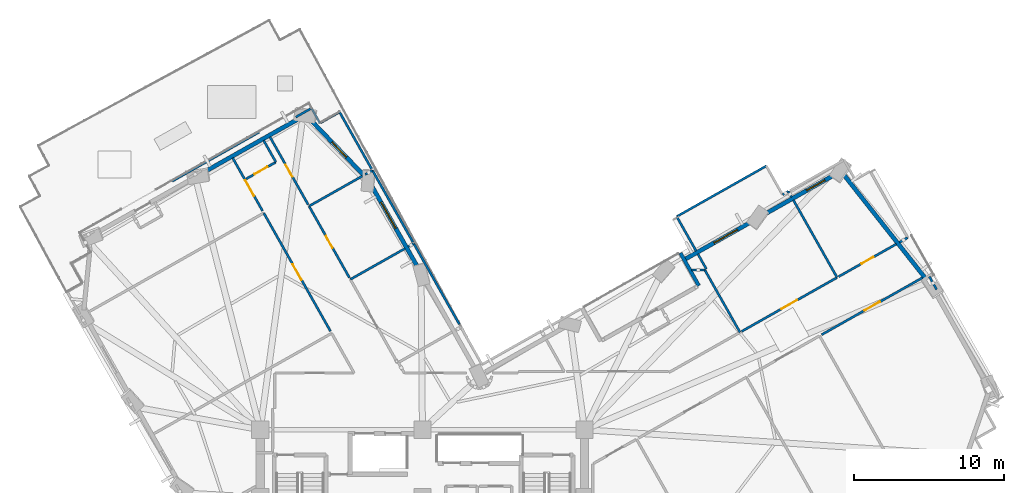
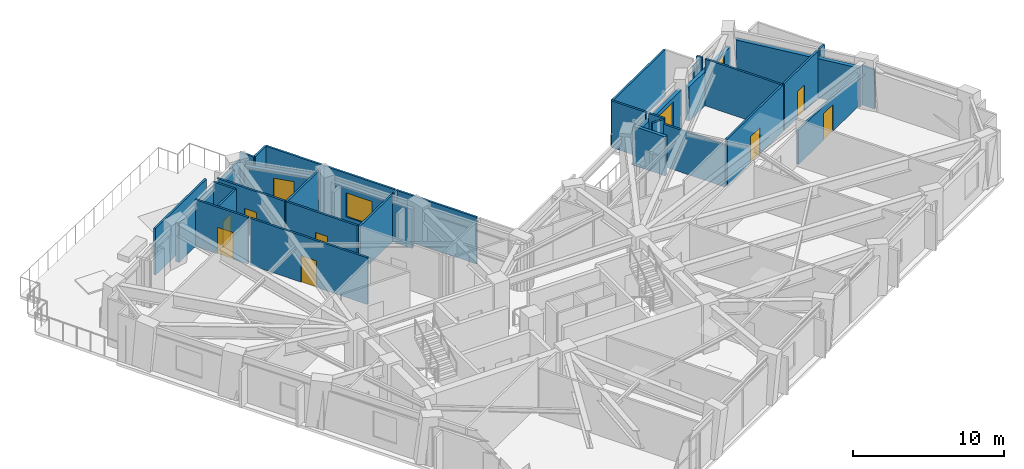
# One storey, part 13 of 18: 37 walls, 8 doors, 4 windows, 12 openings.
"""IFC4 building model written with IfcOpenShell, lengths in metres."""

from ifc_helpers import new_model, si_unit, direction, frame, frame_2d, origin, place, context, subcontext, project, spatial, rectangle, extrude, material, layer, layer_set, type_object, element, fill, save


model = new_model("IFC4")

# Units and contexts
model_context = context("Model", 3, precision=1e-05, world=origin(), true_north=direction((0.0, 1.0)))
body_context = subcontext(model_context, "Body", "Model", "MODEL_VIEW")
ifc_project = project(units=[si_unit("LENGTHUNIT", "METRE"), si_unit("AREAUNIT", "SQUARE_METRE"), si_unit("VOLUMEUNIT", "CUBIC_METRE"), si_unit("PLANEANGLEUNIT", "RADIAN"), si_unit("MASSUNIT", "GRAM", prefix="KILO")], contexts=[model_context])

# Site, building, storey
site_placement = place(None, origin())
site = spatial("IfcSite", under=ifc_project, at=site_placement, CompositionType="ELEMENT")
building_placement = place(site_placement, origin())
building = spatial("IfcBuilding", under=site, at=building_placement, Name="Gaonmaruhae Medical Tower", CompositionType="ELEMENT")
storey_placement = place(building_placement, frame((0.0, 0.0, 149.800048828125)))
storey = spatial("IfcBuildingStorey", under=building, at=storey_placement, Name="L35", CompositionType="ELEMENT", Elevation=149.800048828125)

# Walls
ifc_material_1 = material(Name="Precast concrete C45/55", Category="concrete")
ifc_layer_1 = layer(ifc_material_1, 0.239990234375)
ifc_layer_set_1 = layer_set([ifc_layer_1], Name="Precast concrete C45/55")
wall_type_1 = type_object("IfcWallType", Name="EW-240 Ribbon & Shelter Insulated Precast Wall", PredefinedType="SOLIDWALL", material=ifc_layer_set_1)
wall_1_placement = place(storey_placement, frame((43.21337890625, 26.392333984375, 0.0), z_axis=(0.0, 0.0, 1.0), x_axis=(-0.491725759478, 0.870750123437, 0.0)))
element("IfcWall", 1, at=wall_1_placement, inside=storey, type_object=wall_type_1, Name="L35 Recessed Terrace Enclosure Wall TERR", PredefinedType="SOLIDWALL", context=body_context, shape_type="SweptSolid", body=[
    extrude(rectangle(XDim=2.499755859375, YDim=0.239990234375, at=frame_2d((1.25, 0.0))), origin(), (0.0, 0.0, 1.0), 3.1650390625),
])
ifc_layer_2 = layer(ifc_material_1, 0.280029296875)
ifc_layer_set_2 = layer_set([ifc_layer_2], Name="Precast concrete C45/55")
wall_type_2 = type_object("IfcWallType", Name="EW-280 Upper Precast Masonry-Frame Facade Wall", PredefinedType="SOLIDWALL", material=ifc_layer_set_2)
wall_2_placement = place(storey_placement, frame((52.880859375, 33.769287109375, 0.0), z_axis=(0.0, 0.0, 1.0), x_axis=(0.618971390847, -0.785413532677, 0.0)))
element("IfcWall", 2, at=wall_2_placement, inside=storey, type_object=wall_type_2, Name="L35 Precast Masonry-Frame Wall E02-E03", PredefinedType="SOLIDWALL", context=body_context, shape_type="SweptSolid", body=[
    extrude(rectangle(XDim=8.837646484375, YDim=0.280029296875, at=frame_2d((4.4189453125, 0.0))), origin(), (0.0, 0.0, 1.0), 3.1650390625),
])

# Wall, opening, window
wall_3_placement = place(storey_placement, frame((47.578857421875, 31.142578125, 0.0), z_axis=(0.0, 0.0, 1.0), x_axis=(0.870789061842, 0.491656800803, 0.0)))
wall_3 = element("IfcWall", 3, at=wall_3_placement, inside=storey, type_object=wall_type_2, Name="L35 Precast Masonry-Frame Wall E03-EN01", PredefinedType="SOLIDWALL", context=body_context, shape_type="SweptSolid", body=[
    extrude(rectangle(XDim=5.404541015625, YDim=0.280029296875, at=frame_2d((2.7021484375, 0.0))), origin(), (0.0, 0.0, 1.0), 2.764892578125),
])
opening_1_placement = place(wall_3_placement, frame((3.23388671875, 0.0, 0.75)))
opening_1 = element("IfcOpeningElement", 4, at=opening_1_placement, cuts=wall_3, Name="Opening WN-03", PredefinedType="OPENING", context=body_context, shape_type="SweptSolid", body=[
    extrude(rectangle(XDim=1.39990234375, YDim=1.85009765625, at=frame_2d((0.699951171875, 0.925048828125))), frame((0.0, 0.14990234375, 0.0), z_axis=(0.0, -1.0, 0.0), x_axis=(1.0, 0.0, 0.0)), (0.0, 0.0, 1.0), 0.300048828125),
])
ifc_material_2 = material(Name="Anodised aluminium and Low-E double glazing", Category="aluminium")
window_type_1 = type_object("IfcWindowType", Name="WN-03 Isolation Ward Punched Window 1400x1850", PartitioningType="SINGLE_PANEL", PredefinedType="WINDOW", material=ifc_material_2)
window_1_placement = place(opening_1_placement, origin())
window_1 = element("IfcWindow", 5, at=window_1_placement, inside=storey, type_object=window_type_1, Name="L35 Modular Facade Window E03", OverallHeight=1.85009765625, OverallWidth=1.39990234375, PartitioningType="SINGLE_PANEL", PredefinedType="WINDOW", context=body_context, shape_type="SweptSolid", body=[
    extrude(rectangle(XDim=1.39990234375, YDim=1.85009765625, at=frame_2d((0.699951171875, 0.925048828125))), frame((0.0, 0.030029296875, 0.0), z_axis=(0.0, -1.0, 0.0), x_axis=(1.0, 0.0, 0.0)), (0.0, 0.0, 1.0), 0.06005859375),
])
fill(opening_1, window_1)

wall_4_placement = place(storey_placement, frame((42.252197265625, 28.135009765625, 0.0), z_axis=(0.0, 0.0, 1.0), x_axis=(0.8708017473, 0.491634332507, 0.0)))
wall_4 = element("IfcWall", 6, at=wall_4_placement, inside=storey, type_object=wall_type_2, Name="L35 Precast Masonry-Frame Wall EN01-EN02", PredefinedType="SOLIDWALL", context=body_context, shape_type="SweptSolid", body=[
    extrude(rectangle(XDim=5.155517578125, YDim=0.280029296875, at=frame_2d((2.57763671875, 0.0))), origin(), (0.0, 0.0, 1.0), 3.14501953125),
])
opening_2_placement = place(wall_4_placement, frame((2.259521484375, 0.0, 0.75)))
opening_2 = element("IfcOpeningElement", 7, at=opening_2_placement, cuts=wall_4, Name="Opening WN-04", PredefinedType="OPENING", context=body_context, shape_type="SweptSolid", body=[
    extrude(rectangle(XDim=1.800048828125, YDim=2.050048828125, at=frame_2d((0.89990234375, 1.02490234375))), frame((0.0, 0.14990234375, 0.0), z_axis=(0.0, -1.0, 0.0), x_axis=(1.0, 0.0, 0.0)), (0.0, 0.0, 1.0), 0.300048828125),
])
window_type_2 = type_object("IfcWindowType", Name="WN-04 Clinic & Consult Punched Window 1800x2050", PartitioningType="SINGLE_PANEL", PredefinedType="WINDOW", material=ifc_material_2)
window_2_placement = place(opening_2_placement, origin())
window_2 = element("IfcWindow", 8, at=window_2_placement, inside=storey, type_object=window_type_2, Name="L35 Modular Facade Window EN01", OverallHeight=2.050048828125, OverallWidth=1.800048828125, PartitioningType="SINGLE_PANEL", PredefinedType="WINDOW", context=body_context, shape_type="SweptSolid", body=[
    extrude(rectangle(XDim=1.800048828125, YDim=2.050048828125, at=frame_2d((0.89990234375, 1.02490234375))), frame((0.0, 0.030029296875, 0.0), z_axis=(0.0, -1.0, 0.0), x_axis=(1.0, 0.0, 0.0)), (0.0, 0.0, 1.0), 0.06005859375),
])
fill(opening_2, window_2)

wall_5_placement = place(storey_placement, frame((24.533935546875, 27.53466796875, 0.0), z_axis=(0.0, 0.0, 1.0), x_axis=(-0.491640915593, 0.870798030611, 0.0)))
wall_5 = element("IfcWall", 9, at=wall_5_placement, inside=storey, type_object=wall_type_2, Name="L35 Precast Masonry-Frame Wall NE01-NE02", PredefinedType="SOLIDWALL", context=body_context, shape_type="SweptSolid", body=[
    extrude(rectangle(XDim=6.22265625, YDim=0.280029296875, at=frame_2d((3.111328125, 0.0))), origin(), (0.0, 0.0, 1.0), 3.1650390625),
])
opening_3_placement = place(wall_5_placement, frame((3.073974609375, 0.0, 0.75)))
opening_3 = element("IfcOpeningElement", 10, at=opening_3_placement, cuts=wall_5, Name="Opening WN-02", PredefinedType="OPENING", context=body_context, shape_type="SweptSolid", body=[
    extrude(rectangle(XDim=2.0, YDim=1.949951171875, at=frame_2d((1.0, 0.97509765625))), frame((0.0, 0.14990234375, 0.0), z_axis=(0.0, -1.0, 0.0), x_axis=(1.0, 0.0, 0.0)), (0.0, 0.0, 1.0), 0.300048828125),
])
window_type_3 = type_object("IfcWindowType", Name="WN-02 Double-Bed Ward Punched Window 2000x1950", PartitioningType="SINGLE_PANEL", PredefinedType="WINDOW", material=ifc_material_2)
window_3_placement = place(opening_3_placement, origin())
window_3 = element("IfcWindow", 11, at=window_3_placement, inside=storey, type_object=window_type_3, Name="L35 Modular Facade Window NE01", OverallHeight=1.949951171875, OverallWidth=2.0, PartitioningType="SINGLE_PANEL", PredefinedType="WINDOW", context=body_context, shape_type="SweptSolid", body=[
    extrude(rectangle(XDim=2.0, YDim=1.949951171875, at=frame_2d((1.0, 0.97509765625))), frame((0.0, 0.030029296875, 0.0), z_axis=(0.0, -1.0, 0.0), x_axis=(1.0, 0.0, 0.0)), (0.0, 0.0, 1.0), 0.06005859375),
])
fill(opening_3, window_3)

wall_6_placement = place(storey_placement, frame((17.36767578125, 37.424560546875, 0.0), z_axis=(0.0, 0.0, 1.0), x_axis=(0.692504883459, -0.721413187005, 0.0)))
wall_6 = element("IfcWall", 12, at=wall_6_placement, inside=storey, type_object=wall_type_2, Name="L35 Precast Masonry-Frame Wall NE02-N01", PredefinedType="SOLIDWALL", context=body_context, shape_type="SweptSolid", body=[
    extrude(rectangle(XDim=5.092529296875, YDim=0.280029296875, at=frame_2d((2.54638671875, 0.0))), origin(), (0.0, 0.0, 1.0), 3.1650390625),
])
opening_4_placement = place(wall_6_placement, frame((2.029541015625, 0.0, 0.75)))
opening_4 = element("IfcOpeningElement", 13, at=opening_4_placement, cuts=wall_6, Name="Opening WN-03", PredefinedType="OPENING", context=body_context, shape_type="SweptSolid", body=[
    extrude(rectangle(XDim=1.39990234375, YDim=1.85009765625, at=frame_2d((0.699951171875, 0.925048828125))), frame((0.0, 0.14990234375, 0.0), z_axis=(0.0, -1.0, 0.0), x_axis=(1.0, 0.0, 0.0)), (0.0, 0.0, 1.0), 0.300048828125),
])
window_4_placement = place(opening_4_placement, origin())
window_4 = element("IfcWindow", 14, at=window_4_placement, inside=storey, type_object=window_type_1, Name="L35 Modular Facade Window NE02", OverallHeight=1.85009765625, OverallWidth=1.39990234375, PartitioningType="SINGLE_PANEL", PredefinedType="WINDOW", context=body_context, shape_type="SweptSolid", body=[
    extrude(rectangle(XDim=1.39990234375, YDim=1.85009765625, at=frame_2d((0.699951171875, 0.925048828125))), frame((0.0, 0.030029296875, 0.0), z_axis=(0.0, -1.0, 0.0), x_axis=(1.0, 0.0, 0.0)), (0.0, 0.0, 1.0), 0.06005859375),
])
fill(opening_4, window_4)

# Wall
wall_7_placement = place(storey_placement, frame((10.1630859375, 33.903076171875, 0.0), z_axis=(0.0, 0.0, 1.0), x_axis=(0.87077907775, 0.491674483528, 0.0)))
element("IfcWall", 15, at=wall_7_placement, inside=storey, type_object=wall_type_2, Name="L35 Precast Masonry-Frame Wall N01-N02", PredefinedType="SOLIDWALL", context=body_context, shape_type="SweptSolid", body=[
    extrude(rectangle(XDim=7.230712890625, YDim=0.280029296875, at=frame_2d((3.615234375, 0.0))), origin(), (0.0, 0.0, 1.0), 3.1650390625),
])

# Wall, opening, door
ifc_material_3 = material(Name="Gypsum board partition", Category="gypsum")
ifc_layer_3 = layer(ifc_material_3, 0.14990234375)
ifc_layer_set_3 = layer_set([ifc_layer_3], Name="Gypsum board partition")
wall_type_3 = type_object("IfcWallType", Name="PW-150 Rated Clinical Corridor Partition", PredefinedType="PARTITIONING", material=ifc_layer_set_3)
wall_8_placement = place(storey_placement, frame((51.39404296875, 23.133056640625, 0.0), z_axis=(0.0, 0.0, 1.0), x_axis=(0.870715207894, 0.491787582948, 0.0)))
wall_8 = element("IfcWall", 16, at=wall_8_placement, inside=storey, type_object=wall_type_3, Name="L35 Interior Partition L35-SUP07-29", PredefinedType="PARTITIONING", context=body_context, shape_type="SweptSolid", body=[
    extrude(rectangle(XDim=7.72705078125, YDim=0.14990234375, at=frame_2d((3.863525390625, 0.0))), origin(), (0.0, 0.0, 1.0), 2.764892578125),
])
opening_5_placement = place(wall_8_placement, frame((3.263427734375, 0.0, 0.0)))
opening_5 = element("IfcOpeningElement", 17, at=opening_5_placement, cuts=wall_8, Name="Opening CD-02", PredefinedType="OPENING", context=body_context, shape_type="SweptSolid", body=[
    extrude(rectangle(XDim=1.199951171875, YDim=2.14990234375, at=frame_2d((0.60009765625, 1.074951171875))), frame((0.0, 0.0849609375, 0.0), z_axis=(0.0, -1.0, 0.0), x_axis=(1.0, 0.0, 0.0)), (0.0, 0.0, 1.0), 0.169921875),
])
ifc_material_4 = material(Name="Antimicrobial laminate timber fire door", Category="wood")
door_type_1 = type_object("IfcDoorType", Name="CD-02 Clinical Treatment & Procedure Door 1200x2150", OperationType="NOTDEFINED", PredefinedType="DOOR", material=ifc_material_4)
door_1_placement = place(opening_5_placement, origin())
door_1 = element("IfcDoor", 18, at=door_1_placement, inside=storey, type_object=door_type_1, Name="L35 Clinical Biomedical Charting Office Door", OperationType="SINGLE_SWING_LEFT", OverallHeight=2.14990234375, OverallWidth=1.199951171875, PredefinedType="DOOR", context=body_context, shape_type="SweptSolid", body=[
    extrude(rectangle(XDim=1.199951171875, YDim=2.14990234375, at=frame_2d((0.60009765625, 1.074951171875))), frame((0.0, 0.02490234375, 0.0), z_axis=(0.0, -1.0, 0.0), x_axis=(1.0, 0.0, 0.0)), (0.0, 0.0, 1.0), 0.050048828125),
])
fill(opening_5, door_1)

# Wall
wall_9_placement = place(storey_placement, frame((58.56591796875, 26.9970703125, 0.0), z_axis=(0.0, 0.0, 1.0), x_axis=(0.491258667542, -0.871013732134, 0.0)))
element("IfcWall", 19, at=wall_9_placement, inside=storey, type_object=wall_type_3, Name="L35 Interior Partition L35-SUP07-30", PredefinedType="PARTITIONING", context=body_context, shape_type="SweptSolid", body=[
    extrude(rectangle(XDim=0.987548828125, YDim=0.14990234375, at=frame_2d((0.49365234375, 0.0))), origin(), (0.0, 0.0, 1.0), 3.1650390625),
])

# Wall, opening, door
wall_10_placement = place(storey_placement, frame((14.23388671875, 31.235107421875, 0.0), z_axis=(0.0, 0.0, 1.0), x_axis=(0.491609563099, -0.870815731065, 0.0)))
wall_10 = element("IfcWall", 20, at=wall_10_placement, inside=storey, type_object=wall_type_3, Name="L35 Interior Partition L35-WOF10-46", PredefinedType="PARTITIONING", context=body_context, shape_type="SweptSolid", body=[
    extrude(rectangle(XDim=9.039794921875, YDim=0.14990234375, at=frame_2d((4.52001953125, 0.0))), origin(), (0.0, 0.0, 1.0), 3.780029296875),
])
opening_6_placement = place(wall_10_placement, frame((3.919921875, 0.0, 0.0)))
opening_6 = element("IfcOpeningElement", 21, at=opening_6_placement, cuts=wall_10, Name="Opening CD-02", PredefinedType="OPENING", context=body_context, shape_type="SweptSolid", body=[
    extrude(rectangle(XDim=1.199951171875, YDim=2.14990234375, at=frame_2d((0.60009765625, 1.074951171875))), frame((0.0, 0.0849609375, 0.0), z_axis=(0.0, -1.0, 0.0), x_axis=(1.0, 0.0, 0.0)), (0.0, 0.0, 1.0), 0.169921875),
])
door_2_placement = place(opening_6_placement, origin())
door_2 = element("IfcDoor", 22, at=door_2_placement, inside=storey, type_object=door_type_1, Name="L35 Ward Physician Reporting Office Door", OperationType="SINGLE_SWING_LEFT", OverallHeight=2.14990234375, OverallWidth=1.199951171875, PredefinedType="DOOR", context=body_context, shape_type="SweptSolid", body=[
    extrude(rectangle(XDim=1.199951171875, YDim=2.14990234375, at=frame_2d((0.60009765625, 1.074951171875))), frame((0.0, 0.02490234375, 0.0), z_axis=(0.0, -1.0, 0.0), x_axis=(1.0, 0.0, 0.0)), (0.0, 0.0, 1.0), 0.050048828125),
])
fill(opening_6, door_2)

wall_11_placement = place(storey_placement, frame((12.1640625, 34.90087890625, 0.0), z_axis=(0.0, 0.0, 1.0), x_axis=(0.491594368038, -0.870824309096, 0.0)))
wall_11 = element("IfcWall", 23, at=wall_11_placement, inside=storey, type_object=wall_type_3, Name="L35 Interior Partition L35-WOF11-55", PredefinedType="PARTITIONING", context=body_context, shape_type="SweptSolid", body=[
    extrude(rectangle(XDim=4.050048828125, YDim=0.14990234375, at=frame_2d((2.02490234375, 0.0))), origin(), (0.0, 0.0, 1.0), 3.780029296875),
])
opening_7_placement = place(wall_11_placement, frame((1.699951171875, 0.0, 0.0)))
opening_7 = element("IfcOpeningElement", 24, at=opening_7_placement, cuts=wall_11, Name="Opening CD-02", PredefinedType="OPENING", context=body_context, shape_type="SweptSolid", body=[
    extrude(rectangle(XDim=1.199951171875, YDim=2.14990234375, at=frame_2d((0.60009765625, 1.074951171875))), frame((0.0, 0.0849609375, 0.0), z_axis=(0.0, -1.0, 0.0), x_axis=(1.0, 0.0, 0.0)), (0.0, 0.0, 1.0), 0.169921875),
])
door_3_placement = place(opening_7_placement, origin())
door_3 = element("IfcDoor", 25, at=door_3_placement, inside=storey, type_object=door_type_1, Name="L35 Ward Physician Reporting Office Door", OperationType="SINGLE_SWING_LEFT", OverallHeight=2.14990234375, OverallWidth=1.199951171875, PredefinedType="DOOR", context=body_context, shape_type="SweptSolid", body=[
    extrude(rectangle(XDim=1.199951171875, YDim=2.14990234375, at=frame_2d((0.60009765625, 1.074951171875))), frame((0.0, 0.02490234375, 0.0), z_axis=(0.0, -1.0, 0.0), x_axis=(1.0, 0.0, 0.0)), (0.0, 0.0, 1.0), 0.050048828125),
])
fill(opening_7, door_3)

# Walls
wall_12_placement = place(storey_placement, frame((42.73095703125, 27.43896484375, 0.0), z_axis=(0.0, 0.0, 1.0), x_axis=(1.0, 0.0, 0.0)))
element("IfcWall", 26, at=wall_12_placement, inside=storey, type_object=wall_type_3, Name="L35 Interior Partition L35-IE02-78", PredefinedType="PARTITIONING", context=body_context, shape_type="SweptSolid", body=[
    extrude(rectangle(XDim=0.880126953125, YDim=0.14990234375, at=frame_2d((0.43994140625, 0.0))), origin(), (0.0, 0.0, 1.0), 3.780029296875),
])
wall_13_placement = place(storey_placement, frame((43.611083984375, 27.43896484375, 0.0), z_axis=(0.0, 0.0, 1.0), x_axis=(0.491647001165, -0.87079459475, 0.0)))
element("IfcWall", 27, at=wall_13_placement, inside=storey, type_object=wall_type_3, Name="L35 Interior Partition L35-IE02-79", PredefinedType="PARTITIONING", context=body_context, shape_type="SweptSolid", body=[
    extrude(rectangle(XDim=4.765625, YDim=0.14990234375, at=frame_2d((2.3828125, 0.0))), origin(), (0.0, 0.0, 1.0), 3.4150390625),
])
wall_14_placement = place(storey_placement, frame((48.791015625, 32.458984375, 0.0), z_axis=(0.0, 0.0, 1.0), x_axis=(0.871356329131, 0.490650739002, 0.0)))
element("IfcWall", 28, at=wall_14_placement, inside=storey, type_object=wall_type_3, Name="L35 Interior Partition L35-IE03-82", PredefinedType="PARTITIONING", context=body_context, shape_type="SweptSolid", body=[
    extrude(rectangle(XDim=0.4462890625, YDim=0.14990234375, at=frame_2d((0.22314453125, 0.0))), origin(), (0.0, 0.0, 1.0), 3.1650390625),
])
wall_15_placement = place(storey_placement, frame((49.179931640625, 32.677978515625, 0.0), z_axis=(0.0, 0.0, 1.0), x_axis=(0.491964831571, -0.870615072519, 0.0)))
element("IfcWall", 29, at=wall_15_placement, inside=storey, type_object=wall_type_3, Name="L35 Interior Partition L35-IE03-83", PredefinedType="PARTITIONING", context=body_context, shape_type="SweptSolid", body=[
    extrude(rectangle(XDim=0.435302734375, YDim=0.14990234375, at=frame_2d((0.2177734375, 0.0))), origin(), (0.0, 0.0, 1.0), 3.780029296875),
])
wall_16_placement = place(storey_placement, frame((49.507080078125, 32.09912109375, 0.0), z_axis=(0.0, 0.0, 1.0), x_axis=(0.491645776878, -0.870795285976, 0.0)))
element("IfcWall", 30, at=wall_16_placement, inside=storey, type_object=wall_type_3, Name="L35 Interior Partition L35-IE03-84", PredefinedType="PARTITIONING", context=body_context, shape_type="SweptSolid", body=[
    extrude(rectangle(XDim=5.924560546875, YDim=0.14990234375, at=frame_2d((2.96240234375, 0.0))), origin(), (0.0, 0.0, 1.0), 3.780029296875),
])

# Wall, opening, door
wall_17_placement = place(storey_placement, frame((52.419921875, 26.93994140625, 0.0), z_axis=(0.0, 0.0, 1.0), x_axis=(-0.870751378519, -0.491723536967, 0.0)))
wall_17 = element("IfcWall", 31, at=wall_17_placement, inside=storey, type_object=wall_type_3, Name="L35 Interior Partition L35-IE03-85", PredefinedType="PARTITIONING", context=body_context, shape_type="SweptSolid", body=[
    extrude(rectangle(XDim=7.304931640625, YDim=0.14990234375, at=frame_2d((3.65234375, 0.0))), origin(), (0.0, 0.0, 1.0), 3.780029296875),
])
opening_8_placement = place(wall_17_placement, frame((3.052490234375, 0.0, 0.0)))
opening_8 = element("IfcOpeningElement", 32, at=opening_8_placement, cuts=wall_17, Name="Opening CD-02", PredefinedType="OPENING", context=body_context, shape_type="SweptSolid", body=[
    extrude(rectangle(XDim=1.199951171875, YDim=2.14990234375, at=frame_2d((0.60009765625, 1.074951171875))), frame((0.0, 0.0849609375, 0.0), z_axis=(0.0, -1.0, 0.0), x_axis=(1.0, 0.0, 0.0)), (0.0, 0.0, 1.0), 0.169921875),
])
door_4_placement = place(opening_8_placement, origin())
door_4 = element("IfcDoor", 33, at=door_4_placement, inside=storey, type_object=door_type_1, Name="L35 Clean Medication Preparation Room Door", OperationType="SINGLE_SWING_RIGHT", OverallHeight=2.14990234375, OverallWidth=1.199951171875, PredefinedType="DOOR", context=body_context, shape_type="SweptSolid", body=[
    extrude(rectangle(XDim=1.199951171875, YDim=2.14990234375, at=frame_2d((0.60009765625, 1.074951171875))), frame((0.0, 0.02490234375, 0.0), z_axis=(0.0, -1.0, 0.0), x_axis=(1.0, 0.0, 0.0)), (0.0, 0.0, 1.0), 0.050048828125),
])
fill(opening_8, door_4)

# Walls
wall_18_placement = place(storey_placement, frame((43.716064453125, 27.498046875, 0.0), z_axis=(0.0, 0.0, 1.0), x_axis=(-0.491890651363, 0.870656985903, 0.0)))
element("IfcWall", 34, at=wall_18_placement, inside=storey, type_object=wall_type_3, Name="L35 Interior Partition L35-IE03-86", PredefinedType="PARTITIONING", context=body_context, shape_type="SweptSolid", body=[
    extrude(rectangle(XDim=1.158935546875, YDim=0.14990234375, at=frame_2d((0.57958984375, 0.0))), origin(), (0.0, 0.0, 1.0), 3.780029296875),
])
wall_19_placement = place(storey_placement, frame((43.032958984375, 28.7080078125, 0.0), z_axis=(0.0, 0.0, 1.0), x_axis=(-0.491861826259, 0.870673270446, 0.0)))
element("IfcWall", 35, at=wall_19_placement, inside=storey, type_object=wall_type_3, Name="L35 Interior Partition L35-IE03-87", PredefinedType="PARTITIONING", context=body_context, shape_type="SweptSolid", body=[
    extrude(rectangle(XDim=2.634765625, YDim=0.14990234375, at=frame_2d((1.3173828125, 0.0))), origin(), (0.0, 0.0, 1.0), 3.780029296875),
])
wall_20_placement = place(storey_placement, frame((41.737060546875, 31.001953125, 0.0), z_axis=(0.0, 0.0, 1.0), x_axis=(0.870807350692, 0.491624407429, 0.0)))
element("IfcWall", 36, at=wall_20_placement, inside=storey, type_object=wall_type_3, Name="L35 Interior Partition L35-IE03-88", PredefinedType="PARTITIONING", context=body_context, shape_type="SweptSolid", body=[
    extrude(rectangle(XDim=6.859130859375, YDim=0.14990234375, at=frame_2d((3.4296875, 0.0))), origin(), (0.0, 0.0, 1.0), 3.780029296875),
])
wall_21_placement = place(storey_placement, frame((57.1220703125, 29.594970703125, 0.0), z_axis=(0.0, 0.0, 1.0), x_axis=(-0.870534417651, -0.492107536709, 0.0)))
element("IfcWall", 37, at=wall_21_placement, inside=storey, type_object=wall_type_3, Name="L35 Interior Partition L35-IE04-92", PredefinedType="PARTITIONING", context=body_context, shape_type="SweptSolid", body=[
    extrude(rectangle(XDim=0.639892578125, YDim=0.14990234375, at=frame_2d((0.31982421875, 0.0))), origin(), (0.0, 0.0, 1.0), 3.780029296875),
])

# Wall, opening, door
wall_22_placement = place(storey_placement, frame((56.362060546875, 29.166015625, 0.0), z_axis=(0.0, 0.0, 1.0), x_axis=(-0.870794858424, -0.49164653415, 0.0)))
wall_22 = element("IfcWall", 38, at=wall_22_placement, inside=storey, type_object=wall_type_3, Name="L35 Interior Partition L35-IE04-93", PredefinedType="PARTITIONING", context=body_context, shape_type="SweptSolid", body=[
    extrude(rectangle(XDim=4.40771484375, YDim=0.14990234375, at=frame_2d((2.203857421875, 0.0))), origin(), (0.0, 0.0, 1.0), 3.780029296875),
])
opening_9_placement = place(wall_22_placement, frame((1.743896484375, 0.0, 0.0)))
opening_9 = element("IfcOpeningElement", 39, at=opening_9_placement, cuts=wall_22, Name="Opening UD-01", PredefinedType="OPENING", context=body_context, shape_type="SweptSolid", body=[
    extrude(rectangle(XDim=0.919921875, YDim=2.10009765625, at=frame_2d((0.4599609375, 1.050048828125))), frame((0.0, 0.0849609375, 0.0), z_axis=(0.0, -1.0, 0.0), x_axis=(1.0, 0.0, 0.0)), (0.0, 0.0, 1.0), 0.169921875),
])
ifc_material_5 = material(Name="Powder-coated steel utility door", Category="steel")
door_type_2 = type_object("IfcDoorType", Name="UD-01 Toilet, Utility & Housekeeping Door 920x2100", OperationType="NOTDEFINED", PredefinedType="DOOR", material=ifc_material_5)
door_5_placement = place(opening_9_placement, origin())
door_5 = element("IfcDoor", 40, at=door_5_placement, inside=storey, type_object=door_type_2, Name="L35 Accessible Public Toilet Door", OperationType="SINGLE_SWING_RIGHT", OverallHeight=2.10009765625, OverallWidth=0.919921875, PredefinedType="DOOR", context=body_context, shape_type="SweptSolid", body=[
    extrude(rectangle(XDim=0.919921875, YDim=2.10009765625, at=frame_2d((0.4599609375, 1.050048828125))), frame((0.0, 0.02490234375, 0.0), z_axis=(0.0, -1.0, 0.0), x_axis=(1.0, 0.0, 0.0)), (0.0, 0.0, 1.0), 0.050048828125),
])
fill(opening_9, door_5)

# Walls
wall_23_placement = place(storey_placement, frame((20.001953125, 26.81494140625, 0.0), z_axis=(0.0, 0.0, 1.0), x_axis=(0.870879884138, 0.49149590782, 0.0)))
element("IfcWall", 41, at=wall_23_placement, inside=storey, type_object=wall_type_3, Name="L35 Interior Partition L35-IN01-97", PredefinedType="PARTITIONING", context=body_context, shape_type="SweptSolid", body=[
    extrude(rectangle(XDim=4.185546875, YDim=0.14990234375, at=frame_2d((2.0927734375, 0.0))), origin(), (0.0, 0.0, 1.0), 3.780029296875),
])
wall_24_placement = place(storey_placement, frame((23.846923828125, 28.985107421875, 0.0), z_axis=(0.0, 0.0, 1.0), x_axis=(0.870990775269, 0.491299368407, 0.0)))
element("IfcWall", 42, at=wall_24_placement, inside=storey, type_object=wall_type_3, Name="L35 Interior Partition L35-IN01-98", PredefinedType="PARTITIONING", context=body_context, shape_type="SweptSolid", body=[
    extrude(rectangle(XDim=0.435302734375, YDim=0.14990234375, at=frame_2d((0.2177734375, 0.0))), origin(), (0.0, 0.0, 1.0), 3.780029296875),
])
wall_25_placement = place(storey_placement, frame((24.22607421875, 29.198974609375, 0.0), z_axis=(0.0, 0.0, 1.0), x_axis=(0.49162626276, -0.870806303241, 0.0)))
element("IfcWall", 43, at=wall_25_placement, inside=storey, type_object=wall_type_3, Name="L35 Interior Partition L35-IN01-99", PredefinedType="PARTITIONING", context=body_context, shape_type="SweptSolid", body=[
    extrude(rectangle(XDim=6.17919921875, YDim=0.14990234375, at=frame_2d((3.089599609375, 0.0))), origin(), (0.0, 0.0, 1.0), 3.780029296875),
])

# Wall, opening, door
wall_26_placement = place(storey_placement, frame((19.943115234375, 26.9189453125, 0.0), z_axis=(0.0, 0.0, 1.0), x_axis=(-0.491627062899, 0.870805851511, 0.0)))
wall_26 = element("IfcWall", 44, at=wall_26_placement, inside=storey, type_object=wall_type_3, Name="L35 Interior Partition L35-IN02-100", PredefinedType="PARTITIONING", context=body_context, shape_type="SweptSolid", body=[
    extrude(rectangle(XDim=5.47998046875, YDim=0.14990234375, at=frame_2d((2.739990234375, 0.0))), origin(), (0.0, 0.0, 1.0), 3.780029296875),
])
opening_10_placement = place(wall_26_placement, frame((2.280029296875, 0.0, 0.0)))
opening_10 = element("IfcOpeningElement", 45, at=opening_10_placement, cuts=wall_26, Name="Opening UD-01", PredefinedType="OPENING", context=body_context, shape_type="SweptSolid", body=[
    extrude(rectangle(XDim=0.919921875, YDim=2.10009765625, at=frame_2d((0.4599609375, 1.050048828125))), frame((0.0, 0.0849609375, 0.0), z_axis=(0.0, -1.0, 0.0), x_axis=(1.0, 0.0, 0.0)), (0.0, 0.0, 1.0), 0.169921875),
])
door_6_placement = place(opening_10_placement, origin())
door_6 = element("IfcDoor", 46, at=door_6_placement, inside=storey, type_object=door_type_2, Name="L35 Ward Nutrition Pantry Door", OperationType="SINGLE_SWING_LEFT", OverallHeight=2.10009765625, OverallWidth=0.919921875, PredefinedType="DOOR", context=body_context, shape_type="SweptSolid", body=[
    extrude(rectangle(XDim=0.919921875, YDim=2.10009765625, at=frame_2d((0.4599609375, 1.050048828125))), frame((0.0, 0.02490234375, 0.0), z_axis=(0.0, -1.0, 0.0), x_axis=(1.0, 0.0, 0.0)), (0.0, 0.0, 1.0), 0.050048828125),
])
fill(opening_10, door_6)

# Walls
wall_27_placement = place(storey_placement, frame((17.2490234375, 31.69091796875, 0.0), z_axis=(0.0, 0.0, 1.0), x_axis=(0.870728177917, 0.491764618675, 0.0)))
element("IfcWall", 47, at=wall_27_placement, inside=storey, type_object=wall_type_3, Name="L35 Interior Partition L35-IN02-101", PredefinedType="PARTITIONING", context=body_context, shape_type="SweptSolid", body=[
    extrude(rectangle(XDim=4.069091796875, YDim=0.14990234375, at=frame_2d((2.03466796875, 0.0))), origin(), (0.0, 0.0, 1.0), 3.780029296875),
])
wall_28_placement = place(storey_placement, frame((20.9951171875, 33.805908203125, 0.0), z_axis=(0.0, 0.0, 1.0), x_axis=(0.870155930742, 0.492776476908, 0.0)))
element("IfcWall", 48, at=wall_28_placement, inside=storey, type_object=wall_type_3, Name="L35 Interior Partition L35-IN02-102", PredefinedType="PARTITIONING", context=body_context, shape_type="SweptSolid", body=[
    extrude(rectangle(XDim=0.5478515625, YDim=0.14990234375, at=frame_2d((0.27392578125, 0.0))), origin(), (0.0, 0.0, 1.0), 3.780029296875),
])
wall_29_placement = place(storey_placement, frame((21.471923828125, 34.075927734375, 0.0), z_axis=(0.0, 0.0, 1.0), x_axis=(0.491762179601, -0.870729555438, 0.0)))
element("IfcWall", 49, at=wall_29_placement, inside=storey, type_object=wall_type_3, Name="L35 Interior Partition L35-IN02-103", PredefinedType="PARTITIONING", context=body_context, shape_type="SweptSolid", body=[
    extrude(rectangle(XDim=5.48046875, YDim=0.14990234375, at=frame_2d((2.740234375, 0.0))), origin(), (0.0, 0.0, 1.0), 3.780029296875),
])
wall_30_placement = place(storey_placement, frame((19.280029296875, 37.9599609375, 0.0), z_axis=(0.0, 0.0, 1.0), x_axis=(0.491449194126, -0.870906246155, 0.0)))
element("IfcWall", 50, at=wall_30_placement, inside=storey, type_object=wall_type_3, Name="L35 Interior Partition L35-IN03-104", PredefinedType="PARTITIONING", context=body_context, shape_type="SweptSolid", body=[
    extrude(rectangle(XDim=4.34033203125, YDim=0.14990234375, at=frame_2d((2.170166015625, 0.0))), origin(), (0.0, 0.0, 1.0), 3.780029296875),
])

# Wall, opening, door
wall_31_placement = place(storey_placement, frame((17.18994140625, 31.7958984375, 0.0), z_axis=(0.0, 0.0, 1.0), x_axis=(-0.49162033615, 0.870809649168, 0.0)))
wall_31 = element("IfcWall", 51, at=wall_31_placement, inside=storey, type_object=wall_type_3, Name="L35 Interior Partition L35-IN03-105", PredefinedType="PARTITIONING", context=body_context, shape_type="SweptSolid", body=[
    extrude(rectangle(XDim=5.174560546875, YDim=0.14990234375, at=frame_2d((2.58740234375, 0.0))), origin(), (0.0, 0.0, 1.0), 3.780029296875),
])
opening_11_placement = place(wall_31_placement, frame((2.127197265625, 0.0, 0.0)))
opening_11 = element("IfcOpeningElement", 52, at=opening_11_placement, cuts=wall_31, Name="Opening UD-01", PredefinedType="OPENING", context=body_context, shape_type="SweptSolid", body=[
    extrude(rectangle(XDim=0.919921875, YDim=2.10009765625, at=frame_2d((0.4599609375, 1.050048828125))), frame((0.0, 0.0849609375, 0.0), z_axis=(0.0, -1.0, 0.0), x_axis=(1.0, 0.0, 0.0)), (0.0, 0.0, 1.0), 0.169921875),
])
door_7_placement = place(opening_11_placement, origin())
door_7 = element("IfcDoor", 53, at=door_7_placement, inside=storey, type_object=door_type_2, Name="L35 Public Visitor Toilet Door", OperationType="SINGLE_SWING_LEFT", OverallHeight=2.10009765625, OverallWidth=0.919921875, PredefinedType="DOOR", context=body_context, shape_type="SweptSolid", body=[
    extrude(rectangle(XDim=0.919921875, YDim=2.10009765625, at=frame_2d((0.4599609375, 1.050048828125))), frame((0.0, 0.02490234375, 0.0), z_axis=(0.0, -1.0, 0.0), x_axis=(1.0, 0.0, 0.0)), (0.0, 0.0, 1.0), 0.050048828125),
])
fill(opening_11, door_7)

# Walls
wall_32_placement = place(storey_placement, frame((16.365966796875, 37.6240234375, 0.0), z_axis=(0.0, 0.0, 1.0), x_axis=(0.870842533714, 0.491562083031, 0.0)))
element("IfcWall", 54, at=wall_32_placement, inside=storey, type_object=wall_type_3, Name="L35 Interior Partition L35-IN03-106", PredefinedType="PARTITIONING", context=body_context, shape_type="SweptSolid", body=[
    extrude(rectangle(XDim=1.202392578125, YDim=0.14990234375, at=frame_2d((0.60107421875, 0.0))), origin(), (0.0, 0.0, 1.0), 3.1650390625),
])
wall_33_placement = place(storey_placement, frame((17.43798828125, 38.1708984375, 0.0), z_axis=(0.0, 0.0, 1.0), x_axis=(0.491037802501, -0.871138264867, 0.0)))
element("IfcWall", 55, at=wall_33_placement, inside=storey, type_object=wall_type_3, Name="L35 Interior Partition L35-IN03-107", PredefinedType="PARTITIONING", context=body_context, shape_type="SweptSolid", body=[
    extrude(rectangle(XDim=1.08935546875, YDim=0.14990234375, at=frame_2d((0.544677734375, 0.0))), origin(), (0.0, 0.0, 1.0), 3.780029296875),
])
wall_34_placement = place(storey_placement, frame((18.01708984375, 37.2470703125, 0.0), z_axis=(0.0, 0.0, 1.0), x_axis=(0.870871273197, 0.491511165205, 0.0)))
element("IfcWall", 56, at=wall_34_placement, inside=storey, type_object=wall_type_3, Name="L35 Interior Partition L35-IN03-108", PredefinedType="PARTITIONING", context=body_context, shape_type="SweptSolid", body=[
    extrude(rectangle(XDim=1.399658203125, YDim=0.14990234375, at=frame_2d((0.69970703125, 0.0))), origin(), (0.0, 0.0, 1.0), 3.780029296875),
])
wall_35_placement = place(storey_placement, frame((8.133056640625, 33.35400390625, 0.0), z_axis=(0.0, 0.0, 1.0), x_axis=(0.870768198127, 0.491693751364, 0.0)))
element("IfcWall", 57, at=wall_35_placement, inside=storey, type_object=wall_type_3, Name="L35 Interior Partition L35-RM01-109", PredefinedType="PARTITIONING", context=body_context, shape_type="SweptSolid", body=[
    extrude(rectangle(XDim=6.64013671875, YDim=0.14990234375, at=frame_2d((3.320068359375, 0.0))), origin(), (0.0, 0.0, 1.0), 3.780029296875),
])
wall_36_placement = place(storey_placement, frame((14.22705078125, 36.06591796875, 0.0), z_axis=(0.0, 0.0, 1.0), x_axis=(0.491843353875, -0.87068370563, 0.0)))
element("IfcWall", 58, at=wall_36_placement, inside=storey, type_object=wall_type_3, Name="L35 Interior Partition L35-RM01-110", PredefinedType="PARTITIONING", context=body_context, shape_type="SweptSolid", body=[
    extrude(rectangle(XDim=1.655029296875, YDim=0.14990234375, at=frame_2d((0.82763671875, 0.0))), origin(), (0.0, 0.0, 1.0), 3.780029296875),
])

# Wall, opening, door
wall_37_placement = place(storey_placement, frame((15.041015625, 34.625, 0.0), z_axis=(0.0, 0.0, 1.0), x_axis=(-0.870741103083, -0.491741732418, 0.0)))
wall_37 = element("IfcWall", 59, at=wall_37_placement, inside=storey, type_object=wall_type_3, Name="L35 Interior Partition L35-RM01-111", PredefinedType="PARTITIONING", context=body_context, shape_type="SweptSolid", body=[
    extrude(rectangle(XDim=2.26953125, YDim=0.14990234375, at=frame_2d((1.134765625, 0.0))), origin(), (0.0, 0.0, 1.0), 3.780029296875),
])
opening_12_placement = place(wall_37_placement, frame((0.634765625, 0.0, 0.0)))
opening_12 = element("IfcOpeningElement", 60, at=opening_12_placement, cuts=wall_37, Name="Opening CD-01", PredefinedType="OPENING", context=body_context, shape_type="SweptSolid", body=[
    extrude(rectangle(XDim=1.0, YDim=2.1201171875, at=frame_2d((0.5, 1.06005859375))), frame((0.0, 0.0849609375, 0.0), z_axis=(0.0, -1.0, 0.0), x_axis=(1.0, 0.0, 0.0)), (0.0, 0.0, 1.0), 0.169921875),
])
door_type_3 = type_object("IfcDoorType", Name="CD-01 Consultation & Physician Office Door 1000x2120", OperationType="NOTDEFINED", PredefinedType="DOOR", material=ifc_material_4)
door_8_placement = place(opening_12_placement, origin())
door_8 = element("IfcDoor", 61, at=door_8_placement, inside=storey, type_object=door_type_3, Name="L35 Clinical Case Review Office Door", OperationType="SINGLE_SWING_LEFT", OverallHeight=2.1201171875, OverallWidth=1.0, PredefinedType="DOOR", context=body_context, shape_type="SweptSolid", body=[
    extrude(rectangle(XDim=1.0, YDim=2.1201171875, at=frame_2d((0.5, 1.06005859375))), frame((0.0, 0.02490234375, 0.0), z_axis=(0.0, -1.0, 0.0), x_axis=(1.0, 0.0, 0.0)), (0.0, 0.0, 1.0), 0.050048828125),
])
fill(opening_12, door_8)

save(model, "model.ifc")
